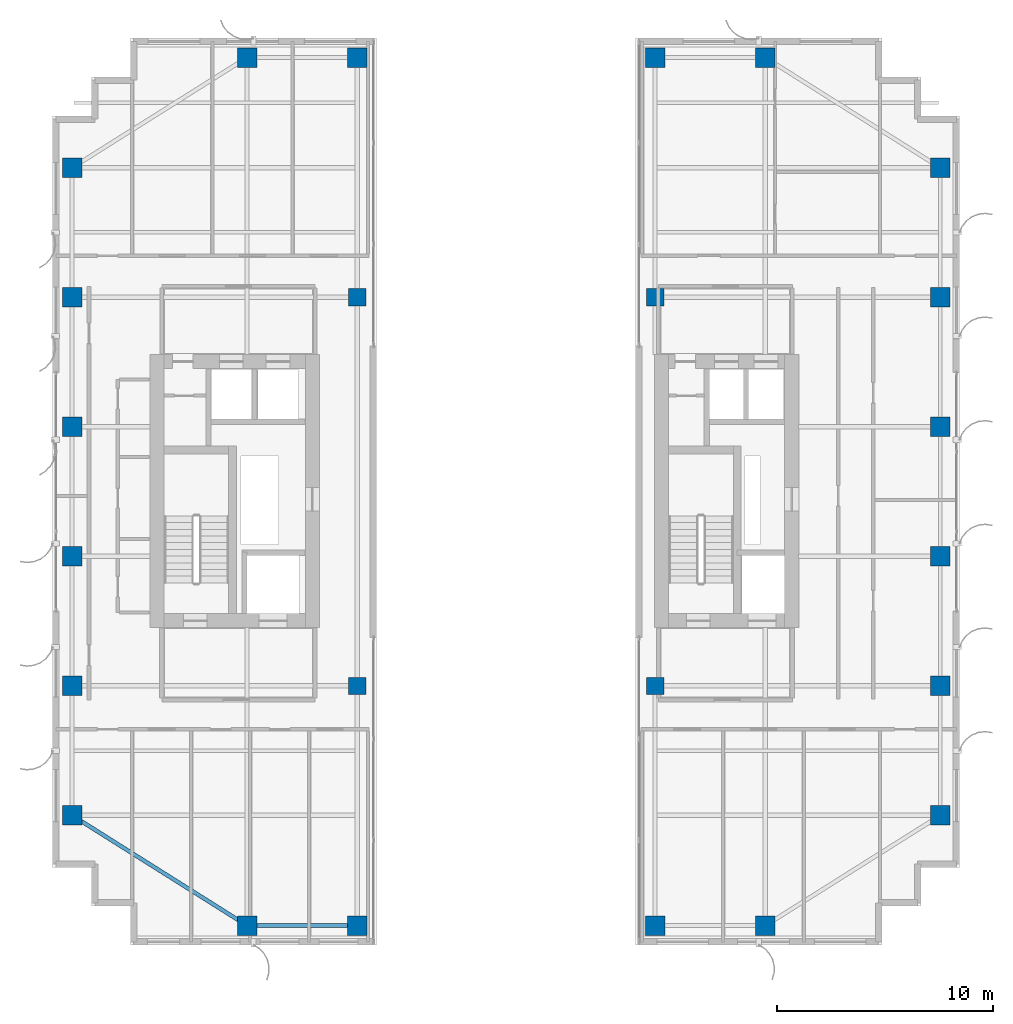
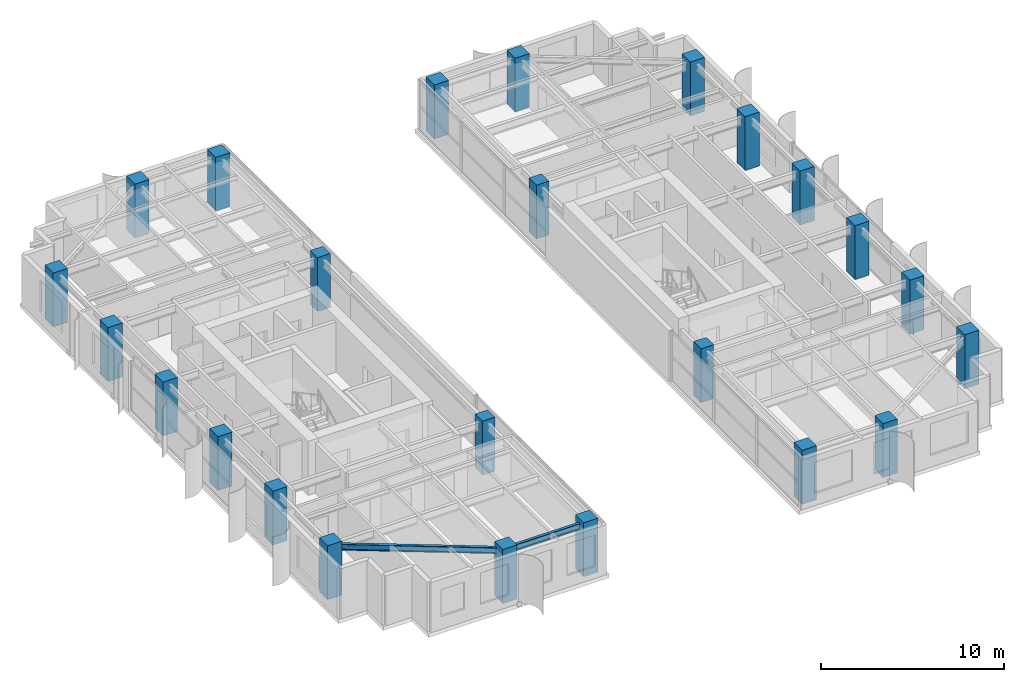
# One storey, part 1 of 22: 24 columns, 2 beams.
"""IFC4 building model written with IfcOpenShell, lengths in metres."""

from ifc_helpers import new_model, si_unit, direction, frame, origin, origin_2d, place, context, subcontext, project, spatial, rectangle, i_section, extrude, source, transform, mapped, material, material_profile, profile_set, type_object, element, save


model = new_model("IFC4")

# Units and contexts
model_context = context("Model", 3, precision=1e-05, world=origin(), true_north=direction((0.0, 1.0)))
body_context = subcontext(model_context, "Body", "Model", "MODEL_VIEW")
ifc_project = project(units=[si_unit("LENGTHUNIT", "METRE"), si_unit("AREAUNIT", "SQUARE_METRE"), si_unit("VOLUMEUNIT", "CUBIC_METRE"), si_unit("PLANEANGLEUNIT", "RADIAN"), si_unit("MASSUNIT", "GRAM", prefix="KILO")], contexts=[model_context])

# Site, building, storey
site_placement = place(None, origin())
site = spatial("IfcSite", under=ifc_project, at=site_placement, CompositionType="ELEMENT")
building_placement = place(site_placement, origin())
building = spatial("IfcBuilding", under=site, at=building_placement, Name="Khoralis Quay Care Tower", CompositionType="ELEMENT")
storey_placement = place(building_placement, frame((0.0, 0.0, 191.699951171875)))
storey = spatial("IfcBuildingStorey", under=building, at=storey_placement, Name="L50", CompositionType="ELEMENT", Elevation=191.699951171875)

# Columns
ifc_material_1 = material(Name="Concrete C65/80", Category="concrete")
ifc_material_profile_1 = material_profile(ifc_material_1, rectangle(XDim=0.89990234375, YDim=0.89990234375, at=origin_2d()), Name="Concrete C65/80")
ifc_profile_set_1 = profile_set([ifc_material_profile_1], Name="Concrete C65/80")
column_type_1 = type_object("IfcColumnType", Name="COL-C900", PredefinedType="COLUMN", material=ifc_profile_set_1)
shared_shape_1 = source(origin(), body_context, "Body", "SweptSolid", [
    extrude(rectangle(XDim=0.89990234375, YDim=0.89990234375, at=origin_2d()), origin(), (0.0, 0.0, 1.0), 3.60009765625),
])
for number, where, z_axis, x_axis, name in (
    (1, (12.0, 0.89990234375, 0.0), (0.0, 0.0, 1.0), (1.0, 0.0, 0.0), "COL-TWR-L50-01"),
    (2, (12.0, 41.10009765625, 0.0), (0.0, 0.0, 1.0), (1.0, 0.0, 0.0), "COL-TWR-L50-02"),
    (3, (17.10009765625, 0.89990234375, 0.0), (0.0, 0.0, 1.0), (1.0, 0.0, 0.0), "COL-TWR-L50-03"),
    (4, (17.10009765625, 41.10009765625, 0.0), (0.0, 0.0, 1.0), (1.0, 0.0, 0.0), "COL-TWR-L50-04"),
    (5, (30.89990234375, 0.89990234375, 0.0), (0.0, 0.0, 1.0), (1.0, 0.0, 0.0), "COL-TWR-L50-05"),
    (6, (30.89990234375, 41.10009765625, 0.0), (0.0, 0.0, 1.0), (1.0, 0.0, 0.0), "COL-TWR-L50-06"),
    (7, (36.0, 0.89990234375, 0.0), (0.0, 0.0, 1.0), (1.0, 0.0, 0.0), "COL-TWR-L50-07"),
    (8, (36.0, 41.10009765625, 0.0), (0.0, 0.0, 1.0), (1.0, 0.0, 0.0), "COL-TWR-L50-08"),
    (9, (3.89990234375, 6.0, 0.0), (0.0, 0.0, 1.0), (1.0, 0.0, 0.0), "COL-TWR-L50-09"),
    (10, (44.10009765625, 6.0, 0.0), (0.0, 0.0, 1.0), (1.0, 0.0, 0.0), "COL-TWR-L50-10"),
    (11, (3.89990234375, 12.0, 0.0), (0.0, 0.0, 1.0), (1.0, 0.0, 0.0), "COL-TWR-L50-11"),
    (12, (44.10009765625, 12.0, 0.0), (0.0, 0.0, 1.0), (1.0, 0.0, 0.0), "COL-TWR-L50-12"),
    (13, (3.89990234375, 18.0, 0.0), (0.0, 0.0, 1.0), (1.0, 0.0, 0.0), "COL-TWR-L50-13"),
    (14, (44.10009765625, 18.0, 0.0), (0.0, 0.0, 1.0), (1.0, 0.0, 0.0), "COL-TWR-L50-14"),
    (15, (3.89990234375, 24.0, 0.0), (0.0, 0.0, 1.0), (1.0, 0.0, 0.0), "COL-TWR-L50-15"),
    (16, (44.10009765625, 24.0, 0.0), (0.0, 0.0, 1.0), (1.0, 0.0, 0.0), "COL-TWR-L50-16"),
    (17, (3.89990234375, 30.0, 0.0), (0.0, 0.0, 1.0), (1.0, 0.0, 0.0), "COL-TWR-L50-17"),
    (18, (44.10009765625, 30.0, 0.0), (0.0, 0.0, 1.0), (1.0, 0.0, 0.0), "COL-TWR-L50-18"),
    (19, (3.89990234375, 36.0, 0.0), (0.0, 0.0, 1.0), (1.0, 0.0, 0.0), "COL-TWR-L50-19"),
    (20, (44.10009765625, 36.0, 0.0), (0.0, 0.0, 1.0), (1.0, 0.0, 0.0), "COL-TWR-L50-20"),
):
    element("IfcColumn", number, at=place(storey_placement, frame(where, z_axis=z_axis, x_axis=x_axis)), inside=storey, type_object=column_type_1, Name=name, PredefinedType="COLUMN", context=body_context, shape_type="MappedRepresentation", body=[
        mapped(shared_shape_1, transform((0.0, 0.0, 0.0), scale=1.0)),
    ])
ifc_material_2 = material(Name="Concrete C50/60", Category="concrete")
ifc_material_profile_2 = material_profile(ifc_material_2, rectangle(XDim=0.800048828125, YDim=0.800048828125, at=origin_2d()), Name="Concrete C50/60")
ifc_profile_set_2 = profile_set([ifc_material_profile_2], Name="Concrete C50/60")
column_type_2 = type_object("IfcColumnType", Name="COL-C800", PredefinedType="COLUMN", material=ifc_profile_set_2)
shared_shape_2 = source(origin(), body_context, "Body", "SweptSolid", [
    extrude(rectangle(XDim=0.800048828125, YDim=0.800048828125, at=origin_2d()), origin(), (0.0, 0.0, 1.0), 3.60009765625),
])
for number, where, z_axis, x_axis, name in (
    (21, (17.10009765625, 12.0, 0.0), (0.0, 0.0, 1.0), (1.0, 0.0, 0.0), "COL-TWR-L50-21"),
    (22, (17.10009765625, 30.0, 0.0), (0.0, 0.0, 1.0), (1.0, 0.0, 0.0), "COL-TWR-L50-22"),
    (23, (30.89990234375, 12.0, 0.0), (0.0, 0.0, 1.0), (1.0, 0.0, 0.0), "COL-TWR-L50-23"),
    (24, (30.89990234375, 30.0, 0.0), (0.0, 0.0, 1.0), (1.0, 0.0, 0.0), "COL-TWR-L50-24"),
):
    element("IfcColumn", number, at=place(storey_placement, frame(where, z_axis=z_axis, x_axis=x_axis)), inside=storey, type_object=column_type_2, Name=name, PredefinedType="COLUMN", context=body_context, shape_type="MappedRepresentation", body=[
        mapped(shared_shape_2, transform((0.0, 0.0, 0.0), scale=1.0)),
    ])

# Beams
ifc_material_3 = material(Name="Steel S355", Category="steel")
ifc_material_profile_3 = material_profile(ifc_material_3, i_section(OverallWidth=0.179931640625, OverallDepth=0.39990234375, WebThickness=0.008544921875, FlangeThickness=0.013427734375, FilletRadius=0.02099609375, at=origin_2d()), Name="Steel S355")
ifc_profile_set_3 = profile_set([ifc_material_profile_3], Name="Steel S355")
beam_type = type_object("IfcBeamType", Name="BM-IPE400", PredefinedType="SPANDREL", material=ifc_profile_set_3)
shared_shape_3 = source(origin(), body_context, "Body", "SweptSolid", [
    extrude(i_section(OverallWidth=0.179931640625, OverallDepth=0.39990234375, WebThickness=0.008544921875, FlangeThickness=0.013427734375, FilletRadius=0.02099609375, at=origin_2d()), origin(), (0.0, 0.0, 1.0), 5.10009765625),
])
beam_1_placement = place(storey_placement, frame((12.0, 0.89990234375, 3.14013671875), z_axis=(1.0, 0.0, 0.0), x_axis=(0.0, 1.0, 0.0)))
element("IfcBeam", 25, at=beam_1_placement, inside=storey, type_object=beam_type, Name="BM-TSP-L50-01", PredefinedType="SPANDREL", context=body_context, shape_type="MappedRepresentation", body=[
    mapped(shared_shape_3, transform((0.0, 0.0, 0.0), scale=1.0)),
])
shared_shape_4 = source(origin(), body_context, "Body", "SweptSolid", [
    extrude(i_section(OverallWidth=0.179931640625, OverallDepth=0.39990234375, WebThickness=0.008544921875, FlangeThickness=0.013427734375, FilletRadius=0.02099609375, at=origin_2d()), origin(), (0.0, 0.0, 1.0), 9.572021484375),
])
beam_2_placement = place(storey_placement, frame((12.0, 0.89990234375, 3.14013671875), z_axis=(-0.846231136359, 0.532815975602, 0.0), x_axis=(-0.532815975602, -0.846231136359, 0.0)))
element("IfcBeam", 26, at=beam_2_placement, inside=storey, type_object=beam_type, Name="BM-TCR-L50-15", PredefinedType="SPANDREL", context=body_context, shape_type="MappedRepresentation", body=[
    mapped(shared_shape_4, transform((0.0, 0.0, 0.0), scale=1.0)),
])

save(model, "model.ifc")
